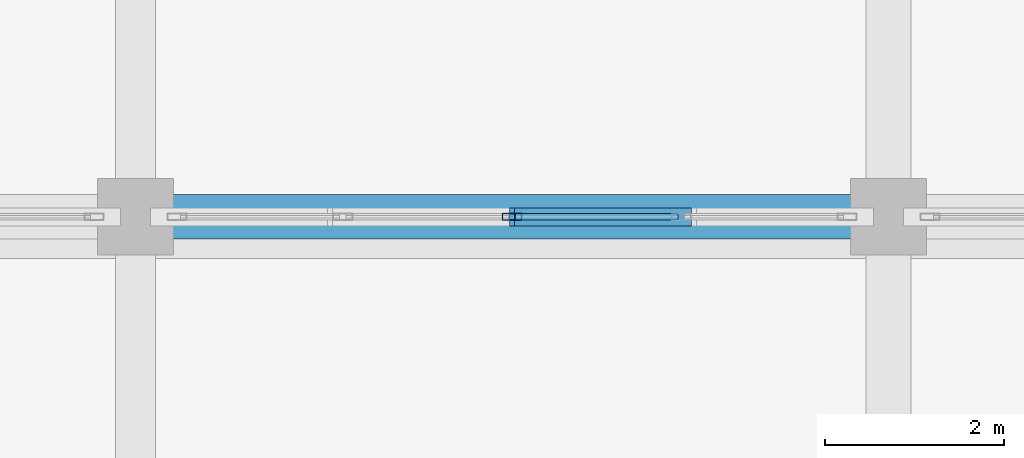
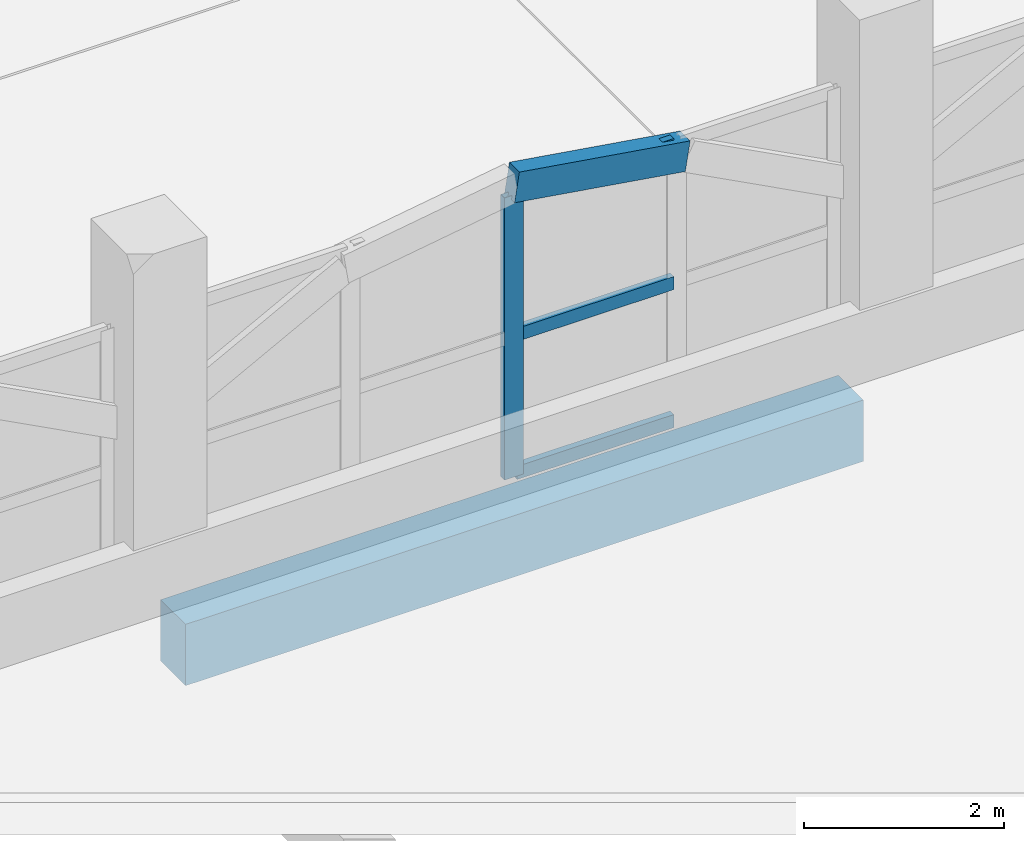
# One storey, part 18 of 129: 5 members, 1 beam, 1 element without a shape of its own.
"""IFC4 building model written with IfcOpenShell, lengths in metres."""

from ifc_helpers import new_model, si_unit, direction, frame, origin, origin_2d, place, context, subcontext, project, spatial, rectangle, hollow_rectangle, extrude, material, layer, layer_set, material_profile, profile_set, type_object, element, aggregate, save


model = new_model("IFC4")

# Units and contexts
model_context = context("Model", 3, precision=1e-05, world=origin(), true_north=direction((0.0, 1.0)))
body_context = subcontext(model_context, "Body", "Model", "MODEL_VIEW")
ifc_project = project(units=[si_unit("LENGTHUNIT", "METRE"), si_unit("AREAUNIT", "SQUARE_METRE"), si_unit("VOLUMEUNIT", "CUBIC_METRE"), si_unit("PLANEANGLEUNIT", "RADIAN"), si_unit("MASSUNIT", "GRAM", prefix="KILO")], contexts=[model_context])

# Site, building, storey
site_placement = place(None, origin())
site = spatial("IfcSite", under=ifc_project, at=site_placement, CompositionType="ELEMENT")
building_placement = place(site_placement, origin())
building = spatial("IfcBuilding", under=site, at=building_placement, Name="Xazarin Passage Department Store", CompositionType="ELEMENT")
storey_placement = place(building_placement, frame((0.0, 0.0, 9.89990234375)))
storey = spatial("IfcBuildingStorey", under=building, at=storey_placement, Name="L02", CompositionType="ELEMENT", Elevation=9.89990234375)

# Curtain wall, members
ifc_material_1 = material(Name="Bronze anodised aluminium", Category="aluminium")
ifc_layer = layer(ifc_material_1, 0.199951171875)
ifc_layer_set = layer_set([ifc_layer], Name="Bronze anodised aluminium")
curtain_wall_type = type_object("IfcCurtainWallType", Name="ARC-CW-VIT2", PredefinedType="NOTDEFINED", material=ifc_layer_set)
curtain_wall_placement = place(storey_placement, origin())
curtain_wall = element("IfcCurtainWall", 1, at=curtain_wall_placement, inside=storey, type_object=curtain_wall_type, Name="L02 V1 Curtain Wall 032", PredefinedType="NOTDEFINED")
ifc_material_profile_1 = material_profile(ifc_material_1, hollow_rectangle(XDim=0.074951171875, YDim=0.219970703125, WallThickness=0.0048828125, at=origin_2d()), Name="ALU 75x220")
ifc_profile_set_1 = profile_set([ifc_material_profile_1], Name="Bronze anodised aluminium")
member_type_1 = type_object("IfcMemberType", Name="ARC-CWM-75x220", PredefinedType="MULLION", material=ifc_profile_set_1)
member_1_placement = place(storey_placement, frame((29.39990234375, 59.60009765625, 0.0), z_axis=(0.0, 0.0, 1.0), x_axis=(0.0, 1.0, 0.0)))
member_1 = element("IfcMember", 2, at=member_1_placement, type_object=member_type_1, Name="CW2 mullion 3", PredefinedType="MULLION", context=body_context, shape_type="SweptSolid", body=[
    extrude(hollow_rectangle(XDim=0.074951171875, YDim=0.219970703125, WallThickness=0.0048828125, at=origin_2d()), origin(), (0.0, 0.0, 1.0), 3.4501953125),
])
ifc_material_profile_2 = material_profile(ifc_material_1, hollow_rectangle(XDim=0.074951171875, YDim=0.159912109375, WallThickness=0.00439453125, at=origin_2d()), Name="ALU 75x160")
ifc_profile_set_2 = profile_set([ifc_material_profile_2], Name="Bronze anodised aluminium")
member_type_2 = type_object("IfcMemberType", Name="ARC-CWT-75x160", PredefinedType="USERDEFINED", material=ifc_profile_set_2)
member_2_placement = place(storey_placement, frame((29.4375, 59.60009765625, 0.03759765625), z_axis=(1.0, 0.0, 0.0), x_axis=(0.0, 1.0, 0.0)))
member_2 = element("IfcMember", 3, at=member_2_placement, type_object=member_type_2, Name="CW2 transom 3.1", ObjectType="TRANSOM", PredefinedType="USERDEFINED", context=body_context, shape_type="SweptSolid", body=[
    extrude(hollow_rectangle(XDim=0.074951171875, YDim=0.159912109375, WallThickness=0.00439453125, at=origin_2d()), origin(), (0.0, 0.0, 1.0), 1.8125),
])
member_3_placement = place(storey_placement, frame((29.4375, 59.60009765625, 1.72509765625), z_axis=(1.0, 0.0, 0.0), x_axis=(0.0, 1.0, 0.0)))
member_3 = element("IfcMember", 4, at=member_3_placement, type_object=member_type_2, Name="CW2 transom 3.2", ObjectType="TRANSOM", PredefinedType="USERDEFINED", context=body_context, shape_type="SweptSolid", body=[
    extrude(hollow_rectangle(XDim=0.074951171875, YDim=0.159912109375, WallThickness=0.00439453125, at=origin_2d()), origin(), (0.0, 0.0, 1.0), 1.8125),
])
member_4_placement = place(storey_placement, frame((29.4375, 59.60009765625, 3.41259765625), z_axis=(1.0, 0.0, 0.0), x_axis=(0.0, 1.0, 0.0)))
member_4 = element("IfcMember", 5, at=member_4_placement, type_object=member_type_2, Name="CW2 transom 3.3", ObjectType="TRANSOM", PredefinedType="USERDEFINED", context=body_context, shape_type="SweptSolid", body=[
    extrude(hollow_rectangle(XDim=0.074951171875, YDim=0.159912109375, WallThickness=0.00439453125, at=origin_2d()), origin(), (0.0, 0.0, 1.0), 1.8125),
])
aggregate(curtain_wall, [member_1, member_2, member_3, member_4])

# Beam
ifc_material_2 = material(Name="Concrete C35/45", Category="concrete")
ifc_material_profile_3 = material_profile(ifc_material_2, rectangle(XDim=0.5, YDim=0.75, at=origin_2d()), Name="RC 500x750")
ifc_profile_set_3 = profile_set([ifc_material_profile_3], Name="Concrete C35/45")
beam_type = type_object("IfcBeamType", Name="STR-BM-SP500x750", PredefinedType="SPANDREL", material=ifc_profile_set_3)
beam_placement = place(storey_placement, frame((25.47998046875, 59.60009765625, -0.6748046875), z_axis=(1.0, 0.0, 0.0), x_axis=(0.0, 1.0, 0.0)))
element("IfcBeam", 6, at=beam_placement, inside=storey, type_object=beam_type, Name="L02 Grid Beam J/4-5", PredefinedType="SPANDREL", context=body_context, shape_type="SweptSolid", body=[
    extrude(rectangle(XDim=0.5, YDim=0.75, at=origin_2d()), origin(), (0.0, 0.0, 1.0), 7.840087890625),
])

# Member
ifc_material_3 = material(Name="Concrete C40/50", Category="concrete")
ifc_material_profile_4 = material_profile(ifc_material_3, rectangle(XDim=0.199951171875, YDim=0.360107421875, at=origin_2d()), Name="RC 200x360")
ifc_profile_set_4 = profile_set([ifc_material_profile_4], Name="Concrete C40/50")
member_type_3 = type_object("IfcMemberType", Name="STR-MEM-ARC360", PredefinedType="CHORD", material=ifc_profile_set_4)
member_5_placement = place(storey_placement, frame((29.39990234375, 59.60009765625, 3.580078125), z_axis=(0.987938581312, 0.0, -0.154846244883), x_axis=(0.0, 1.0, 0.0)))
element("IfcMember", 7, at=member_5_placement, inside=storey, type_object=member_type_3, Name="L02 V1 Upper Setback Pierced Arch 006.3", PredefinedType="CHORD", context=body_context, shape_type="SweptSolid", body=[
    extrude(rectangle(XDim=0.199951171875, YDim=0.360107421875, at=origin_2d()), origin(), (0.0, 0.0, 1.0), 1.999267578125),
])

save(model, "model.ifc")
